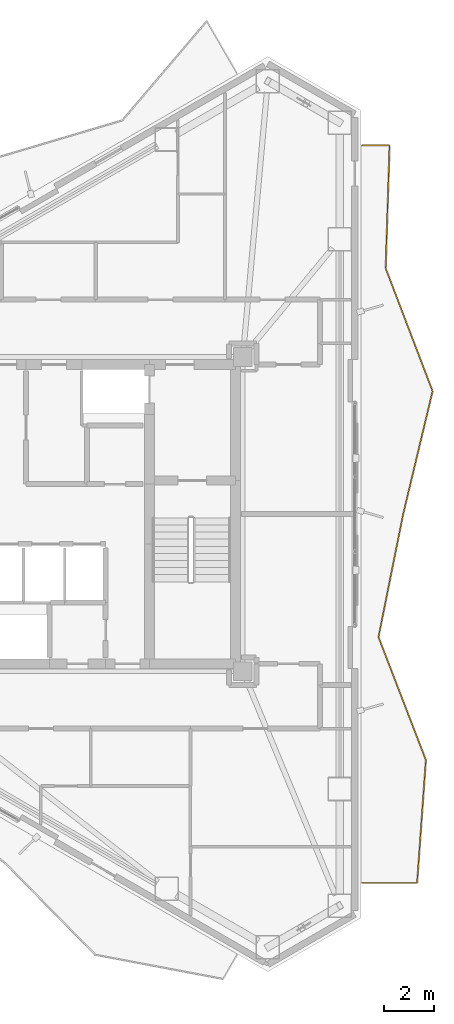
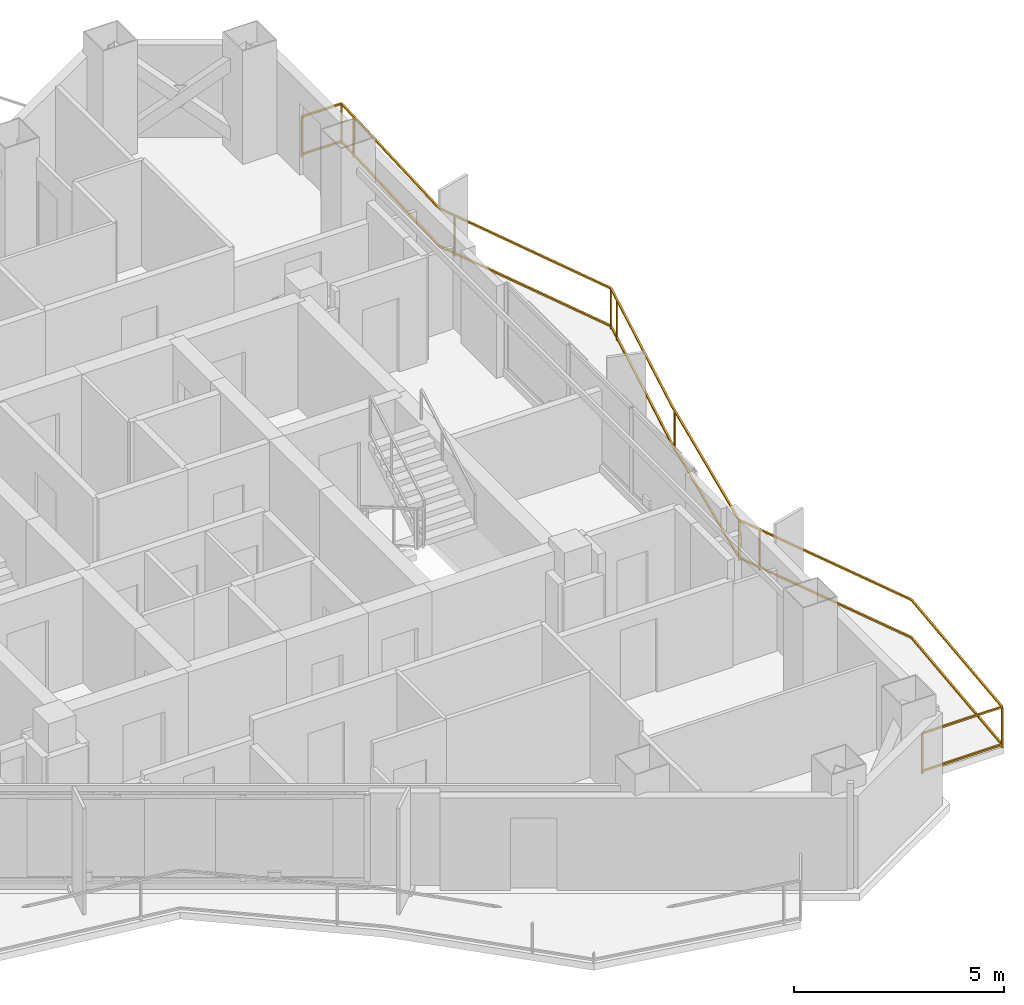
# One storey, part 21 of 21: 1 railing.
"""IFC4 building model written with IfcOpenShell, lengths in metres."""

from ifc_helpers import new_model, si_unit, direction, frame, origin, origin_2d, place, context, subcontext, project, spatial, rectangle, extrude, material, type_object, element, save


model = new_model("IFC4")

# Units and contexts
model_context = context("Model", 3, precision=1e-05, world=origin(), true_north=direction((0.0, 1.0)))
body_context = subcontext(model_context, "Body", "Model", "MODEL_VIEW")
ifc_project = project(units=[si_unit("LENGTHUNIT", "METRE"), si_unit("AREAUNIT", "SQUARE_METRE"), si_unit("VOLUMEUNIT", "CUBIC_METRE"), si_unit("PLANEANGLEUNIT", "RADIAN"), si_unit("MASSUNIT", "GRAM", prefix="KILO")], contexts=[model_context])

# Site, building, storey
site_placement = place(None, origin())
site = spatial("IfcSite", under=ifc_project, at=site_placement, CompositionType="ELEMENT")
building_placement = place(site_placement, origin())
building = spatial("IfcBuilding", under=site, at=building_placement, Name="Mersakhor Tower and Convention Hall", CompositionType="ELEMENT")
storey_placement = place(building_placement, frame((0.0, 0.0, 182.10009765625)))
storey = spatial("IfcBuildingStorey", under=building, at=storey_placement, Name="L50", CompositionType="ELEMENT", Elevation=182.10009765625)

# Railing
ifc_material = material(Name="Powder-coated galvanised steel and laminated glass balustrade", Category="steel")
railing_type = type_object("IfcRailingType", Name="RL-BAL-1200", PredefinedType="BALUSTRADE", material=ifc_material)
railing_placement = place(storey_placement, frame((40.888427734375, 11.957275390625, 0.0)))
element("IfcRailing", 1, at=railing_placement, inside=storey, type_object=railing_type, Name="L50 Sinusoidal Balcony Balustrade F2", PredefinedType="BALUSTRADE", context=body_context, shape_type="SweptSolid", body=[
    extrude(rectangle(XDim=0.048095703125, YDim=0.048095703125, at=origin_2d()), frame((0.0, 0.0, 1.17578125), z_axis=(1.0, 0.0, 0.0), x_axis=(0.0, 1.0, 0.0)), (0.0, 0.0, 1.0), 2.198486328125),
    extrude(rectangle(XDim=0.048095703125, YDim=0.048095703125, at=origin_2d()), frame((0.0, 0.0, 0.080078125), z_axis=(1.0, 0.0, 0.0), x_axis=(0.0, 1.0, 0.0)), (0.0, 0.0, 1.0), 2.198486328125),
    extrude(rectangle(XDim=0.048095703125, YDim=0.048095703125, at=origin_2d()), frame((2.198486328125, 0.0, 1.17578125), z_axis=(0.071412002914, 0.99744690377, 0.0), x_axis=(-0.99744690377, 0.071412002914, 0.0)), (0.0, 0.0, 1.0), 4.943603515625),
    extrude(rectangle(XDim=0.048095703125, YDim=0.048095703125, at=origin_2d()), frame((2.198486328125, 0.0, 0.080078125), z_axis=(0.071412002914, 0.99744690377, 0.0), x_axis=(-0.99744690377, 0.071412002914, 0.0)), (0.0, 0.0, 1.0), 4.943603515625),
    extrude(rectangle(XDim=0.048095703125, YDim=0.048095703125, at=origin_2d()), frame((2.551513671875, 4.930908203125, 1.17578125), z_axis=(-0.359820939365, 0.933021377887, 0.0), x_axis=(-0.933021377887, -0.359820939365, 0.0)), (0.0, 0.0, 1.0), 5.284912109375),
    extrude(rectangle(XDim=0.048095703125, YDim=0.048095703125, at=origin_2d()), frame((2.551513671875, 4.930908203125, 0.080078125), z_axis=(-0.359820939365, 0.933021377887, 0.0), x_axis=(-0.933021377887, -0.359820939365, 0.0)), (0.0, 0.0, 1.0), 5.284912109375),
    extrude(rectangle(XDim=0.048095703125, YDim=0.048095703125, at=origin_2d()), frame((0.64990234375, 9.86181640625, 1.17578125), z_axis=(0.196890896799, 0.980425404994, 0.0), x_axis=(-0.980425404994, 0.196890896799, 0.0)), (0.0, 0.0, 1.0), 5.029296875),
    extrude(rectangle(XDim=0.048095703125, YDim=0.048095703125, at=origin_2d()), frame((0.64990234375, 9.86181640625, 0.080078125), z_axis=(0.196890896799, 0.980425404994, 0.0), x_axis=(-0.980425404994, 0.196890896799, 0.0)), (0.0, 0.0, 1.0), 5.029296875),
    extrude(rectangle(XDim=0.048095703125, YDim=0.048095703125, at=origin_2d()), frame((1.64013671875, 14.792724609375, 1.17578125), z_axis=(0.23272272755, 0.972543126078, 0.0), x_axis=(-0.972543126078, 0.23272272755, 0.0)), (0.0, 0.0, 1.0), 5.070068359375),
    extrude(rectangle(XDim=0.048095703125, YDim=0.048095703125, at=origin_2d()), frame((1.64013671875, 14.792724609375, 0.080078125), z_axis=(0.23272272755, 0.972543126078, 0.0), x_axis=(-0.972543126078, 0.23272272755, 0.0)), (0.0, 0.0, 1.0), 5.070068359375),
    extrude(rectangle(XDim=0.048095703125, YDim=0.048095703125, at=origin_2d()), frame((2.820068359375, 19.7236328125, 1.17578125), z_axis=(-0.356678077315, 0.934227354108, 0.0), x_axis=(-0.934227354108, -0.356678077315, 0.0)), (0.0, 0.0, 1.0), 5.278076171875),
    extrude(rectangle(XDim=0.048095703125, YDim=0.048095703125, at=origin_2d()), frame((2.820068359375, 19.7236328125, 0.080078125), z_axis=(-0.356678077315, 0.934227354108, 0.0), x_axis=(-0.934227354108, -0.356678077315, 0.0)), (0.0, 0.0, 1.0), 5.278076171875),
    extrude(rectangle(XDim=0.048095703125, YDim=0.048095703125, at=origin_2d()), frame((0.9375, 24.654541015625, 1.17578125), z_axis=(0.031919163372, 0.999490453686, 0.0), x_axis=(-0.999490453686, 0.031919163372, 0.0)), (0.0, 0.0, 1.0), 4.933349609375),
    extrude(rectangle(XDim=0.048095703125, YDim=0.048095703125, at=origin_2d()), frame((0.9375, 24.654541015625, 0.080078125), z_axis=(0.031919163372, 0.999490453686, 0.0), x_axis=(-0.999490453686, 0.031919163372, 0.0)), (0.0, 0.0, 1.0), 4.933349609375),
    extrude(rectangle(XDim=0.048095703125, YDim=0.048095703125, at=origin_2d()), frame((1.094970703125, 29.58544921875, 1.17578125), z_axis=(-1.0, 0.0, 0.0), x_axis=(0.0, -1.0, 0.0)), (0.0, 0.0, 1.0), 1.094970703125),
    extrude(rectangle(XDim=0.048095703125, YDim=0.048095703125, at=origin_2d()), frame((1.094970703125, 29.58544921875, 0.080078125), z_axis=(-1.0, 0.0, 0.0), x_axis=(0.0, -1.0, 0.0)), (0.0, 0.0, 1.0), 1.094970703125),
    extrude(rectangle(XDim=0.0419921875, YDim=0.0419921875, at=origin_2d()), origin(), (0.0, 0.0, 1.0), 1.15185546875),
    extrude(rectangle(XDim=0.0419921875, YDim=0.0419921875, at=origin_2d()), frame((2.198486328125, 0.0, 0.0)), (0.0, 0.0, 1.0), 1.15185546875),
    extrude(rectangle(XDim=0.0419921875, YDim=0.0419921875, at=origin_2d()), frame((0.8759765625, 9.275390625, 0.0)), (0.0, 0.0, 1.0), 1.15185546875),
    extrude(rectangle(XDim=0.0419921875, YDim=0.0419921875, at=origin_2d()), frame((0.64990234375, 9.86181640625, 0.0)), (0.0, 0.0, 1.0), 1.15185546875),
    extrude(rectangle(XDim=0.0419921875, YDim=0.0419921875, at=origin_2d()), frame((1.594970703125, 14.56787109375, 0.0)), (0.0, 0.0, 1.0), 1.15185546875),
    extrude(rectangle(XDim=0.0419921875, YDim=0.0419921875, at=origin_2d()), frame((2.703857421875, 19.23779296875, 0.0)), (0.0, 0.0, 1.0), 1.15185546875),
    extrude(rectangle(XDim=0.0419921875, YDim=0.0419921875, at=origin_2d()), frame((2.820068359375, 19.7236328125, 0.0)), (0.0, 0.0, 1.0), 1.15185546875),
    extrude(rectangle(XDim=0.0419921875, YDim=0.0419921875, at=origin_2d()), frame((1.10791015625, 24.2080078125, 0.0)), (0.0, 0.0, 1.0), 1.15185546875),
    extrude(rectangle(XDim=0.0419921875, YDim=0.0419921875, at=origin_2d()), frame((1.075439453125, 28.974365234375, 0.0)), (0.0, 0.0, 1.0), 1.15185546875),
    extrude(rectangle(XDim=0.0419921875, YDim=0.0419921875, at=origin_2d()), frame((1.094970703125, 29.58544921875, 0.0)), (0.0, 0.0, 1.0), 1.15185546875),
    extrude(rectangle(XDim=0.0419921875, YDim=0.0419921875, at=origin_2d()), frame((0.0, 29.58544921875, 0.0)), (0.0, 0.0, 1.0), 1.15185546875),
])

save(model, "model.ifc")
